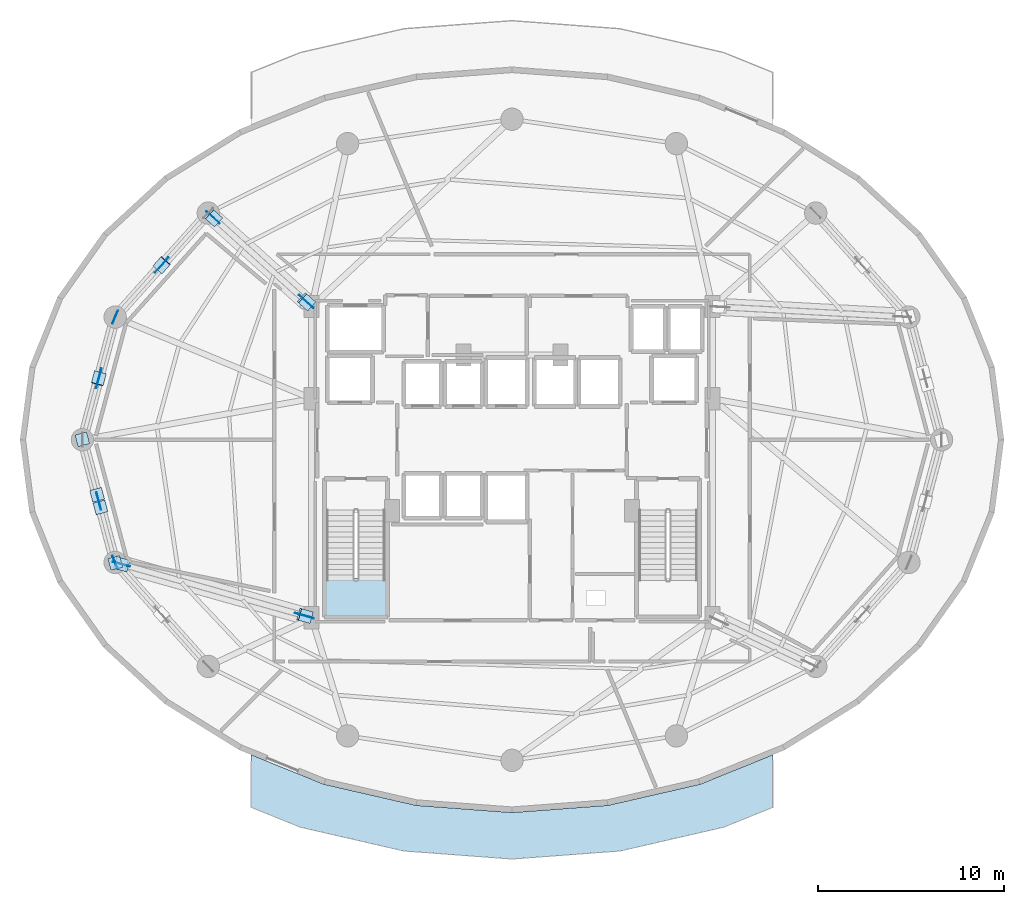
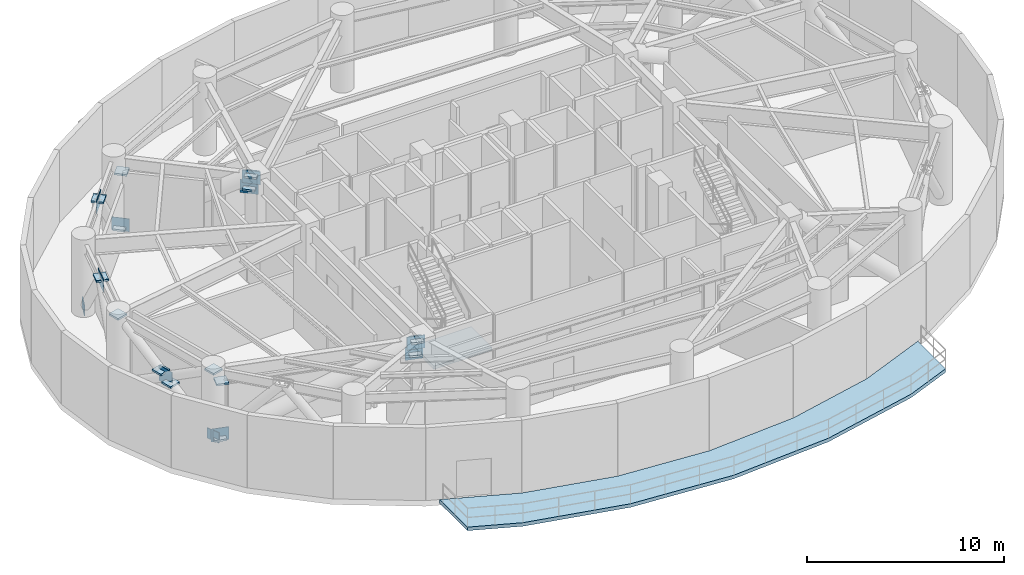
# One storey, part 3 of 10: 27 plates, 2 slabs, 1 element without a shape of its own.
"""IFC4 building model written with IfcOpenShell, lengths in metres."""

from ifc_helpers import new_model, si_unit, direction, frame, origin, origin_2d, place, context, subcontext, project, spatial, polyline, rectangle, outline, extrude, material, layer, layer_set, type_object, element, aggregate, save


model = new_model("IFC4")

# Units and contexts
model_context = context("Model", 3, precision=1e-05, world=origin(), true_north=direction((0.0, 1.0)))
body_context = subcontext(model_context, "Body", "Model", "MODEL_VIEW")
ifc_project = project(units=[si_unit("LENGTHUNIT", "METRE"), si_unit("AREAUNIT", "SQUARE_METRE"), si_unit("VOLUMEUNIT", "CUBIC_METRE"), si_unit("PLANEANGLEUNIT", "RADIAN"), si_unit("MASSUNIT", "GRAM", prefix="KILO")], contexts=[model_context])

# Site, building, storey
site_placement = place(None, origin())
site = spatial("IfcSite", under=ifc_project, at=site_placement, CompositionType="ELEMENT")
building_placement = place(site_placement, origin())
building = spatial("IfcBuilding", under=site, at=building_placement, Name="Vorneva Point Tower", CompositionType="ELEMENT")
storey_placement = place(building_placement, frame((0.0, 0.0, 69.5)))
storey = spatial("IfcBuildingStorey", under=building, at=storey_placement, Name="L18", CompositionType="ELEMENT", Elevation=69.5)

# Plates
ifc_material_1 = material(Name="Steel S355", Category="steel")
ifc_layer_1 = layer(ifc_material_1, 0.028076171875)
ifc_layer_set_1 = layer_set([ifc_layer_1], Name="Steel S355")
plate_type_1 = type_object("IfcPlateType", Name="PLT-CAP-INT", PredefinedType="USERDEFINED", material=ifc_layer_set_1)
for number, where, z_axis, x_axis, name in (
    (1, (19.189697265625, 35.357421875, 4.31640625), (0.0, 0.0, 1.0), (-0.667091755948, -0.744975562784, 0.0), "L18 Perimeter Belt-Truss Diagonal 07A end closure plate 2"),
    (2, (19.21630859375, 35.386962890625, 4.31640625), (0.0, 0.0, 1.0), (0.667091755948, 0.744975562784, 0.0), "L18 Perimeter Belt-Truss Diagonal 07B end closure plate 2"),
    (3, (15.822509765625, 29.27294921875, 4.3173828125), (0.0, 0.0, 1.0), (-0.257571294219, -0.966259296666, 0.0), "L18 Perimeter Belt-Truss Diagonal 08A end closure plate 2"),
    (4, (15.83203125, 29.309326171875, 4.3173828125), (0.0, 0.0, 1.0), (0.257571294219, 0.966259296666, 0.0), "L18 Perimeter Belt-Truss Diagonal 08B end closure plate 2"),
    (5, (16.711181640625, 19.393310546875, 4.3095703125), (0.0, 0.0, 1.0), (0.257571294219, -0.966259296666, 0.0), "L18 Perimeter Belt-Truss Continuous X-Brace 09A end closure plate 2"),
    (6, (15.9169921875, 22.372314453125, 1.962890625), (0.0, 0.0, 1.0), (-0.257571294219, 0.966259296666, 0.0), "L18 Perimeter Belt-Truss Split X-Brace 09B1 end closure plate 2"),
    (7, (15.737548828125, 23.04541015625, 2.3955078125), (0.0, 0.0, 1.0), (-0.257571294219, 0.966259296666, 0.0), "L18 Perimeter Belt-Truss Split X-Brace 09B2 end closure plate 1"),
    (8, (14.943359375, 26.024658203125, 4.3095703125), (0.0, 0.0, 1.0), (-0.257571294219, 0.966259296666, 0.0), "L18 Perimeter Belt-Truss Split X-Brace 09B2 end closure plate 2"),
    (9, (27.00927734375, 33.367431640625, 4.31005859375), (0.0, 0.0, 1.0), (-0.742081142188, 0.670310061396, 0.0), "L18 Core Outrigger Diagonal 07A end closure plate 1"),
    (10, (21.94189453125, 37.944580078125, 0.0478515625), (0.0, 0.0, 1.0), (-0.742081142188, 0.670310061396, 0.0), "L18 Core Outrigger Diagonal 07A end closure plate 2"),
    (11, (26.9384765625, 33.431396484375, 3.51416015625), (0.0, 0.0, 1.0), (-0.742081142188, 0.670310061396, 0.0), "L18 Core Outrigger Collector Strut 07B end closure plate 1"),
    (12, (22.0126953125, 37.880615234375, 3.51416015625), (0.0, 0.0, 1.0), (-0.742081142188, 0.670310061396, 0.0), "L18 Core Outrigger Collector Strut 07B end closure plate 2"),
    (13, (26.939697265625, 16.537353515625, 4.30517578125), (0.0, 0.0, 1.0), (-0.962606687284, 0.270902871149, 0.0), "L18 Core Outrigger Diagonal 10A end closure plate 1"),
    (14, (17.014892578125, 19.33056640625, 0.052734375), (0.0, 0.0, 1.0), (-0.962606687284, 0.270902871149, 0.0), "L18 Core Outrigger Diagonal 10A end closure plate 2"),
    (15, (26.845703125, 16.563720703125, 3.51416015625), (0.0, 0.0, 1.0), (-0.962606687284, 0.270902871149, 0.0), "L18 Core Outrigger Collector Strut 10B end closure plate 1"),
    (16, (17.10888671875, 19.303955078125, 3.51416015625), (0.0, 0.0, 1.0), (-0.962606687284, 0.270902871149, 0.0), "L18 Core Outrigger Collector Strut 10B end closure plate 2"),
):
    element("IfcPlate", number, at=place(storey_placement, frame(where, z_axis=z_axis, x_axis=x_axis)), inside=storey, type_object=plate_type_1, Name=name, ObjectType="BASE PLATE", PredefinedType="USERDEFINED", context=body_context, shape_type="SweptSolid", body=[
        extrude(rectangle(XDim=0.64990234375, YDim=0.64990234375, at=origin_2d()), origin(), (0.0, 0.0, 1.0), 0.112060546875),
    ])
ifc_material_2 = material(Name="Steel S460", Category="steel")
ifc_layer_2 = layer(ifc_material_2, 0.031982421875)
ifc_layer_set_2 = layer_set([ifc_layer_2], Name="Steel S460")
plate_type_2 = type_object("IfcPlateType", Name="PLT-GUS-32", PredefinedType="USERDEFINED", material=ifc_layer_set_2)
for number, where, z_axis, x_axis, name in (
    (17, (19.202880859375, 35.372314453125, 3.81005859375), (0.0, 0.0, 1.0), (-0.667091755948, -0.744975562784, 0.0), "L18 Belt-Truss Apex Gusset Plate 07"),
    (18, (15.827392578125, 29.291015625, 3.81005859375), (0.0, 0.0, 1.0), (-0.257571294219, -0.966259296666, 0.0), "L18 Belt-Truss Apex Gusset Plate 08"),
):
    element("IfcPlate", number, at=place(storey_placement, frame(where, z_axis=z_axis, x_axis=x_axis)), inside=storey, type_object=plate_type_2, Name=name, ObjectType="GUSSET PLATE", PredefinedType="USERDEFINED", context=body_context, shape_type="SweptSolid", body=[
        extrude(rectangle(XDim=1.10009765625, YDim=0.031982421875, at=origin_2d()), origin(), (0.0, 0.0, 1.0), 0.800048828125),
    ])
plate_placement = place(storey_placement, frame((15.827392578125, 22.708984375, 1.76025390625), z_axis=(0.0, 0.0, 1.0), x_axis=(0.257571294219, -0.966259296666, 0.0)))
element("IfcPlate", 19, at=plate_placement, inside=storey, type_object=plate_type_2, Name="L18 Belt-Truss X-Brace Central Node Gusset Plate 09", ObjectType="GUSSET PLATE", PredefinedType="USERDEFINED", context=body_context, shape_type="SweptSolid", body=[
    extrude(rectangle(XDim=0.949951171875, YDim=0.031982421875, at=origin_2d()), origin(), (0.0, 0.0, 1.0), 0.949951171875),
])
for number, where, z_axis, x_axis, name in (
    (20, (16.70458984375, 32.582275390625, -0.054931640625), (0.0, 0.0, 1.0), (-0.382683432365, -0.923879532511, 0.0), "L18 Belt-Truss Column Base Gusset Plate 08"),
    (21, (16.70458984375, 19.417724609375, -0.054931640625), (0.0, 0.0, 1.0), (0.382683432365, -0.923879532511, 0.0), "L18 Belt-Truss Column Base Gusset Plate 10"),
):
    element("IfcPlate", number, at=place(storey_placement, frame(where, z_axis=z_axis, x_axis=x_axis)), inside=storey, type_object=plate_type_2, Name=name, ObjectType="GUSSET PLATE", PredefinedType="USERDEFINED", context=body_context, shape_type="SweptSolid", body=[
        extrude(rectangle(XDim=0.75, YDim=0.031982421875, at=origin_2d()), origin(), (0.0, 0.0, 1.0), 0.64990234375),
    ])
for number, where, z_axis, x_axis, name in (
    (22, (26.990234375, 33.384521484375, 3.7900390625), (0.0, 0.0, 1.0), (-0.742081142188, 0.670310061396, 0.0), "L18 Outrigger Core Wall Anchorage Gusset 07"),
    (23, (26.916015625, 33.45166015625, 3.169921875), (0.0, 0.0, 1.0), (-0.742081142188, 0.670310061396, 0.0), "L18 Outrigger Core Collector Link Gusset 07"),
    (24, (21.9609375, 37.927490234375, -0.1201171875), (0.0, 0.0, 1.0), (-0.742081142188, 0.670310061396, 0.0), "L18 Outrigger Perimeter Column Gusset 07"),
    (25, (26.9130859375, 16.544921875, 3.7900390625), (0.0, 0.0, 1.0), (-0.962606687284, 0.270902871149, 0.0), "L18 Outrigger Core Wall Anchorage Gusset 10"),
    (26, (26.81689453125, 16.572021484375, 3.169921875), (0.0, 0.0, 1.0), (-0.962606687284, 0.270902871149, 0.0), "L18 Outrigger Core Collector Link Gusset 10"),
    (27, (17.04150390625, 19.322998046875, -0.1201171875), (0.0, 0.0, 1.0), (-0.962606687284, 0.270902871149, 0.0), "L18 Outrigger Perimeter Column Gusset 10"),
):
    element("IfcPlate", number, at=place(storey_placement, frame(where, z_axis=z_axis, x_axis=x_axis)), inside=storey, type_object=plate_type_2, Name=name, ObjectType="GUSSET PLATE", PredefinedType="USERDEFINED", context=body_context, shape_type="SweptSolid", body=[
        extrude(rectangle(XDim=0.949951171875, YDim=0.031982421875, at=origin_2d()), origin(), (0.0, 0.0, 1.0), 0.800048828125),
    ])

# Slab
ifc_material_3 = material(Name="Concrete B50 (C40/50)", Category="concrete")
ifc_layer_3 = layer(ifc_material_3, 0.219970703125)
ifc_layer_set_3 = layer_set([ifc_layer_3], Name="Concrete B50 (C40/50)")
slab_type_1 = type_object("IfcSlabType", Name="SLB-BAL-220", PredefinedType="FLOOR", material=ifc_layer_set_3)
slab_1_placement = place(storey_placement, frame((0.0, 0.0, -0.219970703125)))
element("IfcSlab", 28, at=slab_1_placement, inside=storey, type_object=slab_type_1, Name="L18 Recessed Sky Garden Terrace SOUTH", PredefinedType="FLOOR", context=body_context, shape_type="SweptSolid", body=[
    extrude(outline(polyline([(52.0, 6.279296875), (52.0, 9.09619140625), (48.104248046875, 7.518798828125), (48.10400390625, 7.5185546875), (48.103759765625, 7.5185546875), (43.1513671875, 6.38037109375), (43.15087890625, 6.38037109375), (43.150634765625, 6.38037109375), (38.000244140625, 5.99609375), (38.0, 5.99609375), (37.999755859375, 5.99609375), (32.849365234375, 6.38037109375), (32.84912109375, 6.38037109375), (32.8486328125, 6.38037109375), (27.896240234375, 7.5185546875), (27.89599609375, 7.5185546875), (27.895751953125, 7.518798828125), (24.0, 9.09619140625), (24.0, 6.279296875), (26.63427734375, 5.212646484375), (32.205810546875, 3.932373046875), (38.0, 3.5), (43.794189453125, 3.932373046875), (49.36572265625, 5.212646484375), (52.0, 6.279296875)])), origin(), (0.0, 0.0, 1.0), 0.219970703125),
])

# Stair, slab
stair_type = type_object("IfcStairType", Name="ST-DOG-1500", PredefinedType="HALF_TURN_STAIR", material=ifc_material_3)
stair_placement = place(storey_placement, origin())
stair = element("IfcStair", 29, at=stair_placement, inside=storey, type_object=stair_type, Name="L18 ST1", PredefinedType="HALF_TURN_STAIR")
ifc_layer_4 = layer(ifc_material_3, 0.199951171875)
ifc_layer_set_4 = layer_set([ifc_layer_4], Name="Concrete B50 (C40/50)")
slab_type_2 = type_object("IfcSlabType", Name="SLB-LND-200", PredefinedType="LANDING", material=ifc_layer_set_4)
slab_2_placement = place(storey_placement, frame((0.0, 0.0, 2.199951171875)))
slab_2 = element("IfcSlab", 30, at=slab_2_placement, type_object=slab_type_2, Name="ST1 landing 1", PredefinedType="LANDING", context=body_context, shape_type="SweptSolid", body=[
    extrude(outline(polyline([(27.929931640625, 16.47998046875), (31.320068359375, 16.47998046875), (31.320068359375, 18.570068359375), (27.929931640625, 18.570068359375), (27.929931640625, 16.47998046875)])), origin(), (0.0, 0.0, 1.0), 0.199951171875),
])
aggregate(stair, [slab_2])

save(model, "model.ifc")
